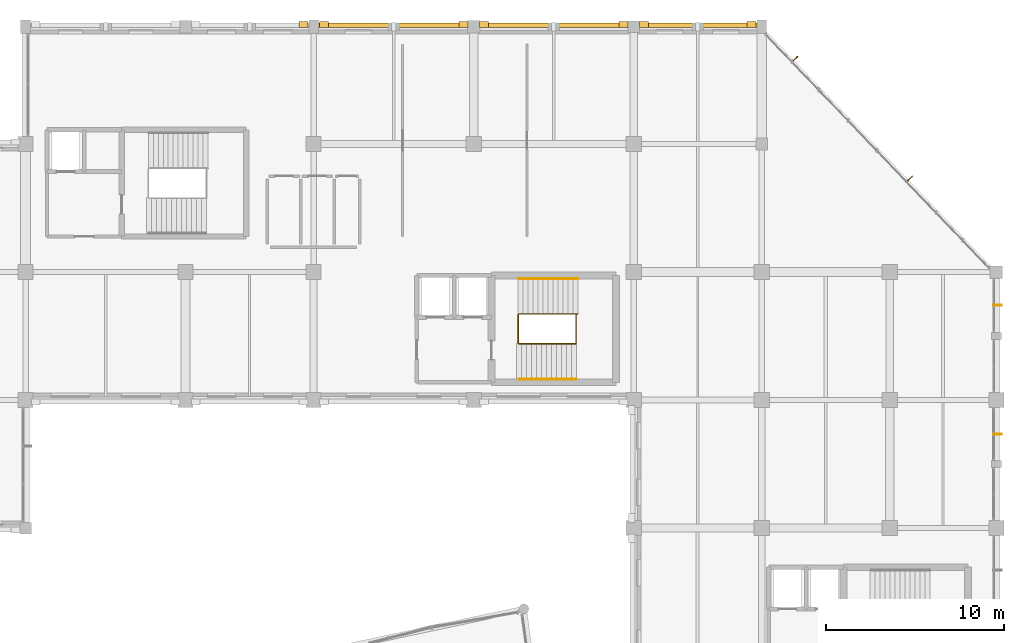
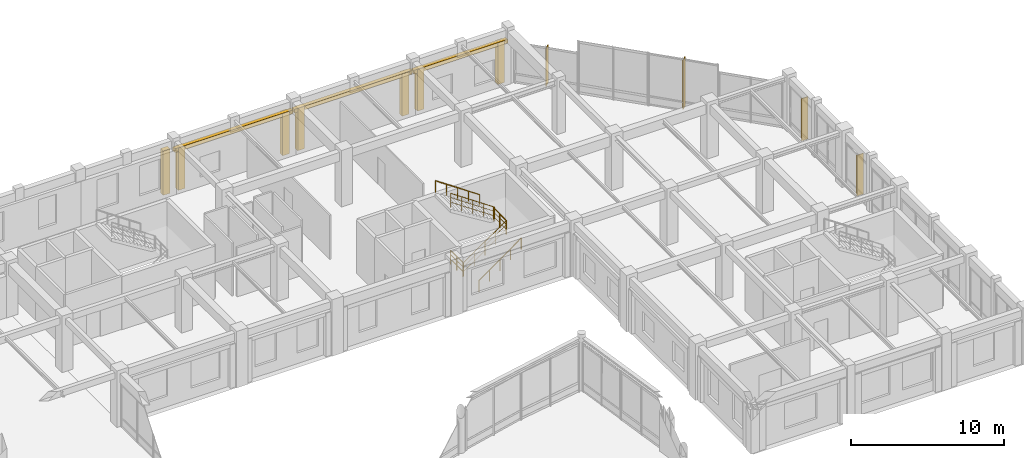
# One storey, part 62 of 62: 10 coverings, 6 railings, 4 shading devices.
"""IFC4 building model written with IfcOpenShell, lengths in metres."""

import ifcopenshell
import ifcopenshell.guid

model = None  # the IFC model being written
_history = None  # IfcOwnerHistory: only IFC2X3 demands one
_inside = {}  # id of a spatial element -> (the spatial element, [elements in it])
_under = {}  # id of a project, library or spatial element -> (it, [spatial elements below it])
_declared = {}  # id of a project -> (the project, [libraries it declares])
_typed = {}  # id of a type object -> (the type object, [elements of that type])
_made_of = {}  # id of a material, layer set ... -> (it, [elements and type objects made of it])


def new_model(schema):
    """Start an empty IFC model of exactly this schema.

    Asked for "IFC4X3", IfcOpenShell would pick the latest addendum, in which some entities
    have other attributes; the version numbers below select the first issue.
    IFC2X3 requires an IfcOwnerHistory on every rooted entity: one is made here for all.
    """
    global model, _history
    if schema == "IFC4X3":
        model = ifcopenshell.file(schema_version=(4, 3, 0, 0))
    else:
        model = ifcopenshell.file(schema=schema)
    _inside.clear()
    _under.clear()
    _declared.clear()
    _typed.clear()
    _made_of.clear()
    _history = None
    if model.schema == "IFC2X3":
        org = make("IfcOrganization", Name="unknown")
        user = make(
            "IfcPersonAndOrganization",
            ThePerson=make("IfcPerson", FamilyName="unknown"),
            TheOrganization=org,
        )
        app = make(
            "IfcApplication",
            ApplicationDeveloper=org,
            Version="unknown",
            ApplicationFullName="unknown",
            ApplicationIdentifier="unknown",
        )
        _history = make(
            "IfcOwnerHistory",
            OwningUser=user,
            OwningApplication=app,
            ChangeAction="ADDED",
            CreationDate=0,
        )
    return model


def make(cls, **values):
    """One entity of the class cls with the attributes given. An attribute that is None is left unset."""
    return model.create_entity(
        cls, **{name: value for name, value in values.items() if value is not None}
    )


def rooted(cls, **values):
    """An entity with a GlobalId (a new one), such as an element, a storey or a relation."""
    return make(cls, GlobalId=ifcopenshell.guid.new(), OwnerHistory=_history, **values)


def si_unit(unit_type, name, prefix=None):
    """IfcSIUnit, for example si_unit("LENGTHUNIT", "METRE", prefix="MILLI")."""
    return make("IfcSIUnit", UnitType=unit_type, Prefix=prefix, Name=name)


def assignment(units):
    """IfcUnitAssignment: the units of a project."""
    return None if units is None else make("IfcUnitAssignment", Units=units)


def point(xyz):
    """IfcCartesianPoint."""
    return None if xyz is None else make("IfcCartesianPoint", Coordinates=xyz)


def direction(xyz):
    """IfcDirection."""
    return None if xyz is None else make("IfcDirection", DirectionRatios=xyz)


def frame(location, z_axis=None, x_axis=None):
    """IfcAxis2Placement3D, a coordinate frame: its origin and axes. An axis left out is left unset."""
    return make(
        "IfcAxis2Placement3D",
        Location=point(location),
        Axis=direction(z_axis),
        RefDirection=direction(x_axis),
    )


def frame_2d(location, x_axis=None):
    """IfcAxis2Placement2D, a coordinate frame in the plane: its origin and x axis."""
    return make(
        "IfcAxis2Placement2D", Location=point(location), RefDirection=direction(x_axis)
    )


def origin():
    """The frame at (0, 0, 0) with its axes left unset."""
    return frame((0.0, 0.0, 0.0))


def origin_2d():
    """The frame at (0, 0) in the plane with its x axis left unset."""
    return frame_2d((0.0, 0.0))


def place(relative_to, where):
    """IfcLocalPlacement: puts the frame where relative to a parent placement (None: the world)."""
    return make(
        "IfcLocalPlacement", PlacementRelTo=relative_to, RelativePlacement=where
    )


def context(
    kind, dimensions, precision=None, world=None, true_north=None, identifier=None
):
    """IfcGeometricRepresentationContext, for example the 3D "Model" context."""
    return make(
        "IfcGeometricRepresentationContext",
        ContextIdentifier=identifier,
        ContextType=kind,
        CoordinateSpaceDimension=dimensions,
        Precision=precision,
        WorldCoordinateSystem=world,
        TrueNorth=true_north,
    )


def subcontext(parent, identifier, kind, view, scale=None):
    """IfcGeometricRepresentationSubContext, for example "Body" below "Model"."""
    return make(
        "IfcGeometricRepresentationSubContext",
        ContextIdentifier=identifier,
        ContextType=kind,
        ParentContext=parent,
        TargetScale=scale,
        TargetView=view,
    )


def project(units=None, contexts=None):
    """IfcProject with its units and contexts."""
    return rooted(
        "IfcProject",
        Name="project",
        RepresentationContexts=contexts,
        UnitsInContext=assignment(units),
    )


def spatial(cls, under=None, at=None, **own):
    """A site, building, storey or space (cls), placed at a placement, below another one or the project."""
    s = rooted(cls, ObjectPlacement=at, **own)
    if under is not None:
        _under.setdefault(under.id(), (under, []))[1].append(s)
    return s


def profile(cls, at=None, kind="AREA", **sizes):
    """A parametric profile (cls). Its sizes go by their IFC names, for example OverallWidth=200.0."""
    return make(cls, ProfileType=kind, Position=at, **sizes)


def rectangle(**sizes):
    """IfcRectangleProfileDef."""
    return profile("IfcRectangleProfileDef", **sizes)


def circle(**sizes):
    """IfcCircleProfileDef."""
    return profile("IfcCircleProfileDef", **sizes)


def extrude(swept, where, along, depth):
    """IfcExtrudedAreaSolid: the profile swept, set in the frame where, extruded along a direction by depth."""
    return make(
        "IfcExtrudedAreaSolid",
        SweptArea=swept,
        Position=where,
        ExtrudedDirection=direction(along),
        Depth=depth,
    )


def shape(context_of_items, identifier, shape_type, items):
    """IfcShapeRepresentation: the items that make up one representation, for example the "Body"."""
    return make(
        "IfcShapeRepresentation",
        ContextOfItems=context_of_items,
        RepresentationIdentifier=identifier,
        RepresentationType=shape_type,
        Items=items,
    )


def material(Name=None, Category=None):
    """IfcMaterial."""
    return make("IfcMaterial", Name=Name, Category=Category)


def layer(
    of_material, thickness, ventilated=None, Name=None, Category=None, Priority=None
):
    """IfcMaterialLayer: one layer of a wall or slab, of a material (None: an air gap)."""
    return make(
        "IfcMaterialLayer",
        Material=of_material,
        LayerThickness=thickness,
        IsVentilated=ventilated,
        Name=Name,
        Category=Category,
        Priority=Priority,
    )


def layer_set(layers, Name=None):
    """IfcMaterialLayerSet."""
    return make("IfcMaterialLayerSet", MaterialLayers=layers, LayerSetName=Name)


def made_of(thing, what):
    """Note that an element or type object is made of a material, layer set ...; save() writes the relation."""
    if what is not None:
        _made_of.setdefault(what.id(), (what, []))[1].append(thing)
    return thing


def type_object(cls, material=None, **own):
    """A type object (cls), such as IfcWallType, which elements share."""
    return made_of(rooted(cls, **own), material)


def element(
    cls,
    number,
    at=None,
    inside=None,
    cuts=None,
    type_object=None,
    material=None,
    context=None,
    identifier="Body",
    shape_type=None,
    held_by="IfcProductDefinitionShape",
    body=None,
    shapes=None,
    **own,
):
    """One element of the class cls, such as IfcWall. Its Tag is "e" and its number.

    at: its placement. inside: the storey or other place that contains it. cuts: it is an
    opening in that element (IfcRelVoidsElement). A single representation is given by context,
    identifier, shape_type and body (its items); several are given by shapes. held_by: the class
    of the entity that holds the representations. save() writes the other relations.
    """
    e = rooted(cls, Tag="e%d" % number, ObjectPlacement=at, **own)
    if body is not None:
        shapes = [shape(context, identifier, shape_type, body)]
    if shapes is not None:
        e.Representation = make(held_by, Representations=shapes)
    if inside is not None:
        _inside.setdefault(inside.id(), (inside, []))[1].append(e)
    if cuts is not None:
        rooted(
            "IfcRelVoidsElement", RelatingBuildingElement=cuts, RelatedOpeningElement=e
        )
    if type_object is not None:
        _typed.setdefault(type_object.id(), (type_object, []))[1].append(e)
    return made_of(e, material)


def aggregate(whole, parts):
    """IfcRelAggregates: a whole, such as a stair, and the parts it consists of."""
    return rooted("IfcRelAggregates", RelatingObject=whole, RelatedObjects=parts)


def save(model, path):
    """Write the relations noted so far, then the file.

    IfcRelAggregates (storeys below a building ...), IfcRelContainedInSpatialStructure (elements
    in a storey), IfcRelDefinesByType, IfcRelAssociatesMaterial and IfcRelDeclares: one each for
    every whole, place, type object, material and project.
    """
    for whole, parts in _under.values():
        aggregate(whole, parts)
    for where, things in _inside.values():
        rooted(
            "IfcRelContainedInSpatialStructure",
            RelatedElements=things,
            RelatingStructure=where,
        )
    for kind, things in _typed.values():
        rooted("IfcRelDefinesByType", RelatedObjects=things, RelatingType=kind)
    for what, things in _made_of.values():
        rooted("IfcRelAssociatesMaterial", RelatedObjects=things, RelatingMaterial=what)
    for by, libraries in _declared.values():
        rooted("IfcRelDeclares", RelatingContext=by, RelatedDefinitions=libraries)
    model.write(path)


model = new_model("IFC4")

# Units and contexts
model_context = context("Model", 3, precision=1e-05, world=origin(), true_north=direction((0.0, 1.0)))
body_context = subcontext(model_context, "Body", "Model", "MODEL_VIEW")
ifc_project = project(units=[si_unit("LENGTHUNIT", "METRE"), si_unit("AREAUNIT", "SQUARE_METRE"), si_unit("VOLUMEUNIT", "CUBIC_METRE"), si_unit("PLANEANGLEUNIT", "RADIAN"), si_unit("MASSUNIT", "GRAM", prefix="KILO")], contexts=[model_context])

# Site, building, storey
site_placement = place(None, origin())
site = spatial("IfcSite", under=ifc_project, at=site_placement, CompositionType="ELEMENT")
building_placement = place(site_placement, origin())
building = spatial("IfcBuilding", under=site, at=building_placement, Name="Clarverna Civic Hall", CompositionType="ELEMENT")
storey_placement = place(building_placement, frame((0.0, 0.0, 5.10009765625)))
storey = spatial("IfcBuildingStorey", under=building, at=storey_placement, Name="L01", CompositionType="ELEMENT", Elevation=5.10009765625)

# Coverings
ifc_material_1 = material(Name="Montjuic Buff Limestone Ashlar Cladding", Category="masonry")
ifc_layer_1 = layer(ifc_material_1, 0.070068359375)
ifc_layer_set_1 = layer_set([ifc_layer_1], Name="Montjuic Buff Limestone Ashlar Cladding")
covering_type = type_object("IfcCoveringType", Name="CV-CL2", PredefinedType="CLADDING", material=ifc_layer_set_1)
covering_1_placement = place(storey_placement, frame((128.780029296875, 116.110107421875, 0.0), z_axis=(0.0, 0.0, 1.0), x_axis=(1.0, 0.0, 0.0)))
element("IfcCovering", 1, at=covering_1_placement, inside=storey, type_object=covering_type, Name="CV-CL2-260", PredefinedType="CLADDING", context=body_context, shape_type="SweptSolid", body=[
    extrude(rectangle(XDim=0.5, YDim=0.340087890625, at=frame_2d((0.25, 0.0))), origin(), (0.0, 0.0, 1.0), 3.539794921875),
])
covering_2_placement = place(storey_placement, frame((129.659912109375, 116.080078125, 3.08984375), z_axis=(0.0, 0.0, 1.0), x_axis=(1.0, 0.0, 0.0)))
element("IfcCovering", 2, at=covering_2_placement, inside=storey, type_object=covering_type, Name="CV-CL2-261", PredefinedType="CLADDING", context=body_context, shape_type="SweptSolid", body=[
    extrude(rectangle(XDim=8.880126953125, YDim=0.280029296875, at=frame_2d((4.43994140625, 0.0))), origin(), (0.0, 0.0, 1.0), 0.300048828125),
])
for number, where, z_axis, x_axis, name in (
    (3, (129.919921875, 116.110107421875, 0.0), (0.0, 0.0, 1.0), (1.0, 0.0, 0.0), "CV-CL2-262"),
    (4, (137.780029296875, 116.110107421875, 0.0), (0.0, 0.0, 1.0), (1.0, 0.0, 0.0), "CV-CL2-263"),
):
    element("IfcCovering", number, at=place(storey_placement, frame(where, z_axis=z_axis, x_axis=x_axis)), inside=storey, type_object=covering_type, Name=name, PredefinedType="CLADDING", context=body_context, shape_type="SweptSolid", body=[
        extrude(rectangle(XDim=0.5, YDim=0.340087890625, at=frame_2d((0.25, 0.0))), origin(), (0.0, 0.0, 1.0), 3.369873046875),
    ])
covering_3_placement = place(storey_placement, frame((138.659912109375, 116.080078125, 3.08984375), z_axis=(0.0, 0.0, 1.0), x_axis=(1.0, 0.0, 0.0)))
element("IfcCovering", 5, at=covering_3_placement, inside=storey, type_object=covering_type, Name="CV-CL2-264", PredefinedType="CLADDING", context=body_context, shape_type="SweptSolid", body=[
    extrude(rectangle(XDim=8.880126953125, YDim=0.280029296875, at=frame_2d((4.43994140625, 0.0))), origin(), (0.0, 0.0, 1.0), 0.300048828125),
])
for number, where, z_axis, x_axis, name in (
    (6, (138.919921875, 116.110107421875, 0.0), (0.0, 0.0, 1.0), (1.0, 0.0, 0.0), "CV-CL2-265"),
    (7, (146.780029296875, 116.110107421875, 0.0), (0.0, 0.0, 1.0), (1.0, 0.0, 0.0), "CV-CL2-266"),
):
    element("IfcCovering", number, at=place(storey_placement, frame(where, z_axis=z_axis, x_axis=x_axis)), inside=storey, type_object=covering_type, Name=name, PredefinedType="CLADDING", context=body_context, shape_type="SweptSolid", body=[
        extrude(rectangle(XDim=0.5, YDim=0.340087890625, at=frame_2d((0.25, 0.0))), origin(), (0.0, 0.0, 1.0), 3.369873046875),
    ])
covering_4_placement = place(storey_placement, frame((147.659912109375, 116.080078125, 3.039794921875), z_axis=(0.0, 0.0, 1.0), x_axis=(1.0, 0.0, 0.0)))
element("IfcCovering", 8, at=covering_4_placement, inside=storey, type_object=covering_type, Name="CV-CL2-267", PredefinedType="CLADDING", context=body_context, shape_type="SweptSolid", body=[
    extrude(rectangle(XDim=7.080078125, YDim=0.280029296875, at=frame_2d((3.5400390625, 0.0))), origin(), (0.0, 0.0, 1.0), 0.300048828125),
])
for number, where, z_axis, x_axis, name in (
    (9, (147.919921875, 116.110107421875, 0.0), (0.0, 0.0, 1.0), (1.0, 0.0, 0.0), "CV-CL2-268"),
    (10, (153.97998046875, 116.110107421875, 0.0), (0.0, 0.0, 1.0), (1.0, 0.0, 0.0), "CV-CL2-269"),
):
    element("IfcCovering", number, at=place(storey_placement, frame(where, z_axis=z_axis, x_axis=x_axis)), inside=storey, type_object=covering_type, Name=name, PredefinedType="CLADDING", context=body_context, shape_type="SweptSolid", body=[
        extrude(rectangle(XDim=0.5, YDim=0.340087890625, at=frame_2d((0.25, 0.0))), origin(), (0.0, 0.0, 1.0), 3.31982421875),
    ])

# Railings
ifc_material_2 = material(Name="Anodised Bronze Architectural Balustrade")
railing_type_1 = type_object("IfcRailingType", Name="GR-02", PredefinedType="BALUSTRADE", material=ifc_material_2)
railing_1_placement = place(storey_placement, frame((141.14990234375, 98.159912109375, 0.0)))
element("IfcRailing", 11, at=railing_1_placement, inside=storey, type_object=railing_type_1, Name="GR-02-011", PredefinedType="BALUSTRADE", context=body_context, shape_type="SweptSolid", body=[
    extrude(circle(Radius=0.02392578125, at=origin_2d()), frame((0.0, 0.0, 1.09619140625), z_axis=(0.818457937252, 0.0, 0.574566449551), x_axis=(0.0, 1.0, 0.0)), (0.0, 0.0, 1.0), 3.916015625),
    extrude(circle(Radius=0.011962890625, at=origin_2d()), frame((0.0, 0.0, 0.39208984375), z_axis=(0.818457937252, 0.0, 0.574566449551), x_axis=(0.0, 1.0, 0.0)), (0.0, 0.0, 1.0), 3.916015625),
    extrude(circle(Radius=0.011962890625, at=origin_2d()), frame((0.0, 0.0, 0.76171875), z_axis=(0.818457937252, 0.0, 0.574566449551), x_axis=(0.0, 1.0, 0.0)), (0.0, 0.0, 1.0), 3.916015625),
    extrude(circle(Radius=0.02099609375, at=origin_2d()), origin(), (0.0, 0.0, 1.0), 1.072021484375),
    extrude(circle(Radius=0.02099609375, at=origin_2d()), frame((0.80126953125, 0.0, 0.5625)), (0.0, 0.0, 1.0), 1.072021484375),
    extrude(circle(Radius=0.02099609375, at=origin_2d()), frame((1.6025390625, 0.0, 1.125)), (0.0, 0.0, 1.0), 1.072021484375),
    extrude(circle(Radius=0.02099609375, at=origin_2d()), frame((2.40380859375, 0.0, 1.6875)), (0.0, 0.0, 1.0), 1.072021484375),
    extrude(circle(Radius=0.02099609375, at=origin_2d()), frame((3.205078125, 0.0, 2.25)), (0.0, 0.0, 1.0), 1.072021484375),
])
railing_2_placement = place(storey_placement, frame((144.35498046875, 98.159912109375, 2.25)))
element("IfcRailing", 12, at=railing_2_placement, inside=storey, type_object=railing_type_1, Name="GR-02-012", PredefinedType="BALUSTRADE", context=body_context, shape_type="SweptSolid", body=[
    extrude(circle(Radius=0.02392578125, at=origin_2d()), frame((0.0, 0.0, 1.09619140625), z_axis=(0.0, 1.0, 0.0), x_axis=(-1.0, 0.0, 0.0)), (0.0, 0.0, 1.0), 1.68017578125),
    extrude(circle(Radius=0.011962890625, at=origin_2d()), frame((0.0, 0.0, 0.39208984375), z_axis=(0.0, 1.0, 0.0), x_axis=(-1.0, 0.0, 0.0)), (0.0, 0.0, 1.0), 1.68017578125),
    extrude(circle(Radius=0.011962890625, at=origin_2d()), frame((0.0, 0.0, 0.76171875), z_axis=(0.0, 1.0, 0.0), x_axis=(-1.0, 0.0, 0.0)), (0.0, 0.0, 1.0), 1.68017578125),
    extrude(circle(Radius=0.02099609375, at=origin_2d()), origin(), (0.0, 0.0, 1.0), 1.072021484375),
    extrude(circle(Radius=0.02099609375, at=origin_2d()), frame((0.0, 0.840087890625, 0.0)), (0.0, 0.0, 1.0), 1.072021484375),
    extrude(circle(Radius=0.02099609375, at=origin_2d()), frame((0.0, 1.68017578125, 0.0)), (0.0, 0.0, 1.0), 1.072021484375),
])
railing_3_placement = place(storey_placement, frame((144.445068359375, 99.840087890625, 2.25)))
element("IfcRailing", 13, at=railing_3_placement, inside=storey, type_object=railing_type_1, Name="GR-02-013", PredefinedType="BALUSTRADE", context=body_context, shape_type="SweptSolid", body=[
    extrude(circle(Radius=0.02392578125, at=origin_2d()), frame((0.0, 0.0, 1.09619140625), z_axis=(-0.825842681189, 0.0, 0.563900581598), x_axis=(0.0, -1.0, 0.0)), (0.0, 0.0, 1.0), 3.989990234375),
    extrude(circle(Radius=0.011962890625, at=origin_2d()), frame((0.0, 0.0, 0.39208984375), z_axis=(-0.825842681189, 0.0, 0.563900581598), x_axis=(0.0, -1.0, 0.0)), (0.0, 0.0, 1.0), 3.989990234375),
    extrude(circle(Radius=0.011962890625, at=origin_2d()), frame((0.0, 0.0, 0.76171875), z_axis=(-0.825842681189, 0.0, 0.563900581598), x_axis=(0.0, -1.0, 0.0)), (0.0, 0.0, 1.0), 3.989990234375),
    extrude(circle(Radius=0.02099609375, at=origin_2d()), origin(), (0.0, 0.0, 1.0), 1.072021484375),
    extrude(circle(Radius=0.02099609375, at=origin_2d()), frame((-0.82373046875, 0.0, 0.5625)), (0.0, 0.0, 1.0), 1.072021484375),
    extrude(circle(Radius=0.02099609375, at=origin_2d()), frame((-1.6474609375, 0.0, 1.125)), (0.0, 0.0, 1.0), 1.072021484375),
    extrude(circle(Radius=0.02099609375, at=origin_2d()), frame((-2.471435546875, 0.0, 1.6875)), (0.0, 0.0, 1.0), 1.072021484375),
    extrude(circle(Radius=0.02099609375, at=origin_2d()), frame((-3.295166015625, 0.0, 2.25)), (0.0, 0.0, 1.0), 1.072021484375),
])
railing_4_placement = place(storey_placement, frame((141.110107421875, 98.199951171875, 0.0)))
element("IfcRailing", 14, at=railing_4_placement, inside=storey, type_object=railing_type_1, Name="GR-02-014", PredefinedType="BALUSTRADE", context=body_context, shape_type="SweptSolid", body=[
    extrude(circle(Radius=0.02392578125, at=origin_2d()), frame((0.0, 0.0, 1.09619140625), z_axis=(0.0, 1.0, 0.0), x_axis=(-1.0, 0.0, 0.0)), (0.0, 0.0, 1.0), 1.60009765625),
    extrude(circle(Radius=0.011962890625, at=origin_2d()), frame((0.0, 0.0, 0.39208984375), z_axis=(0.0, 1.0, 0.0), x_axis=(-1.0, 0.0, 0.0)), (0.0, 0.0, 1.0), 1.60009765625),
    extrude(circle(Radius=0.011962890625, at=origin_2d()), frame((0.0, 0.0, 0.76171875), z_axis=(0.0, 1.0, 0.0), x_axis=(-1.0, 0.0, 0.0)), (0.0, 0.0, 1.0), 1.60009765625),
    extrude(circle(Radius=0.02099609375, at=origin_2d()), origin(), (0.0, 0.0, 1.0), 1.072021484375),
    extrude(circle(Radius=0.02099609375, at=origin_2d()), frame((0.0, 0.800048828125, 0.0)), (0.0, 0.0, 1.0), 1.072021484375),
    extrude(circle(Radius=0.02099609375, at=origin_2d()), frame((0.0, 1.60009765625, 0.0)), (0.0, 0.0, 1.0), 1.072021484375),
])
ifc_material_3 = material(Name="Anodised Bronze Continuous Handrail")
railing_type_2 = type_object("IfcRailingType", Name="HR-01", PredefinedType="HANDRAIL", material=ifc_material_3)
railing_5_placement = place(storey_placement, frame((141.14990234375, 96.179931640625, 0.0)))
element("IfcRailing", 15, at=railing_5_placement, inside=storey, type_object=railing_type_2, Name="HR-01-005", PredefinedType="HANDRAIL", context=body_context, shape_type="SweptSolid", body=[
    extrude(circle(Radius=0.02392578125, at=origin_2d()), frame((0.0, 0.0, 0.89599609375), z_axis=(0.817196578909, 0.0, 0.576359047312), x_axis=(0.0, 1.0, 0.0)), (0.0, 0.0, 1.0), 3.90380859375),
    extrude(circle(Radius=0.02099609375, at=origin_2d()), origin(), (0.0, 0.0, 1.0), 0.871826171875),
    extrude(circle(Radius=0.02099609375, at=origin_2d()), frame((0.797607421875, 0.0, 0.5625)), (0.0, 0.0, 1.0), 0.871826171875),
    extrude(circle(Radius=0.02099609375, at=origin_2d()), frame((1.59521484375, 0.0, 1.125)), (0.0, 0.0, 1.0), 0.871826171875),
    extrude(circle(Radius=0.02099609375, at=origin_2d()), frame((2.392578125, 0.0, 1.6875)), (0.0, 0.0, 1.0), 0.871826171875),
    extrude(circle(Radius=0.02099609375, at=origin_2d()), frame((3.190185546875, 0.0, 2.25)), (0.0, 0.0, 1.0), 0.871826171875),
])
railing_6_placement = place(storey_placement, frame((144.4599609375, 101.820068359375, 2.25)))
element("IfcRailing", 16, at=railing_6_placement, inside=storey, type_object=railing_type_2, Name="HR-01-006", PredefinedType="HANDRAIL", context=body_context, shape_type="SweptSolid", body=[
    extrude(circle(Radius=0.02392578125, at=origin_2d()), frame((0.0, 0.0, 0.89599609375), z_axis=(-0.82702406128, 0.0, 0.562166525207), x_axis=(0.0, -1.0, 0.0)), (0.0, 0.0, 1.0), 4.00244140625),
    extrude(circle(Radius=0.02099609375, at=origin_2d()), origin(), (0.0, 0.0, 1.0), 0.871826171875),
    extrude(circle(Radius=0.02099609375, at=origin_2d()), frame((-0.82763671875, 0.0, 0.5625)), (0.0, 0.0, 1.0), 0.871826171875),
    extrude(circle(Radius=0.02099609375, at=origin_2d()), frame((-1.655029296875, 0.0, 1.125)), (0.0, 0.0, 1.0), 0.871826171875),
    extrude(circle(Radius=0.02099609375, at=origin_2d()), frame((-2.482421875, 0.0, 1.6875)), (0.0, 0.0, 1.0), 0.871826171875),
    extrude(circle(Radius=0.02099609375, at=origin_2d()), frame((-3.31005859375, 0.0, 2.25)), (0.0, 0.0, 1.0), 0.871826171875),
])

# Shading devices
ifc_material_4 = material(Name="Anodised Bronze Architectural Solar Fin", Category="aluminium")
ifc_layer_2 = layer(ifc_material_4, 0.054931640625)
ifc_layer_set_2 = layer_set([ifc_layer_2], Name="Anodised Bronze Architectural Solar Fin")
shading_device_type = type_object("IfcShadingDeviceType", Name="SD-FN1", PredefinedType="USERDEFINED", material=ifc_layer_set_2)
shading_device_1_placement = place(storey_placement, frame((156.479248046875, 113.998291015625, 0.14990234375), z_axis=(0.0, 0.0, 1.0), x_axis=(0.72269708108, 0.691164907239, 0.0)))
element("IfcShadingDevice", 17, at=shading_device_1_placement, inside=storey, type_object=shading_device_type, Name="SD-FN1-001", ObjectType="FIN", PredefinedType="USERDEFINED", context=body_context, shape_type="SweptSolid", body=[
    extrude(rectangle(XDim=0.47998046875, YDim=0.054931640625, at=frame_2d((0.239990234375, 0.0))), origin(), (0.0, 0.0, 1.0), 3.02001953125),
])
shading_device_2_placement = place(storey_placement, frame((162.927001953125, 107.257568359375, 0.14990234375), z_axis=(0.0, 0.0, 1.0), x_axis=(0.72269708108, 0.691164907239, 0.0)))
element("IfcShadingDevice", 18, at=shading_device_2_placement, inside=storey, type_object=shading_device_type, Name="SD-FN1-002", ObjectType="FIN", PredefinedType="USERDEFINED", context=body_context, shape_type="SweptSolid", body=[
    extrude(rectangle(XDim=0.47998046875, YDim=0.054931640625, at=frame_2d((0.239990234375, 0.0))), origin(), (0.0, 0.0, 1.0), 3.919921875),
])
shading_device_3_placement = place(storey_placement, frame((167.830078125, 100.320068359375, 0.14990234375), z_axis=(0.0, 0.0, 1.0), x_axis=(1.0, 0.0, 0.0)))
element("IfcShadingDevice", 19, at=shading_device_3_placement, inside=storey, type_object=shading_device_type, Name="SD-FN1-003", ObjectType="FIN", PredefinedType="USERDEFINED", context=body_context, shape_type="SweptSolid", body=[
    extrude(rectangle(XDim=0.47998046875, YDim=0.054931640625, at=frame_2d((0.239990234375, 0.0))), origin(), (0.0, 0.0, 1.0), 3.360107421875),
])
shading_device_4_placement = place(storey_placement, frame((167.830078125, 93.08251953125, 0.14990234375), z_axis=(0.0, 0.0, 1.0), x_axis=(1.0, 0.0, 0.0)))
element("IfcShadingDevice", 20, at=shading_device_4_placement, inside=storey, type_object=shading_device_type, Name="SD-FN1-004", ObjectType="FIN", PredefinedType="USERDEFINED", context=body_context, shape_type="SweptSolid", body=[
    extrude(rectangle(XDim=0.47998046875, YDim=0.054931640625, at=frame_2d((0.239990234375, 0.0))), origin(), (0.0, 0.0, 1.0), 3.239990234375),
])

save(model, "model.ifc")
